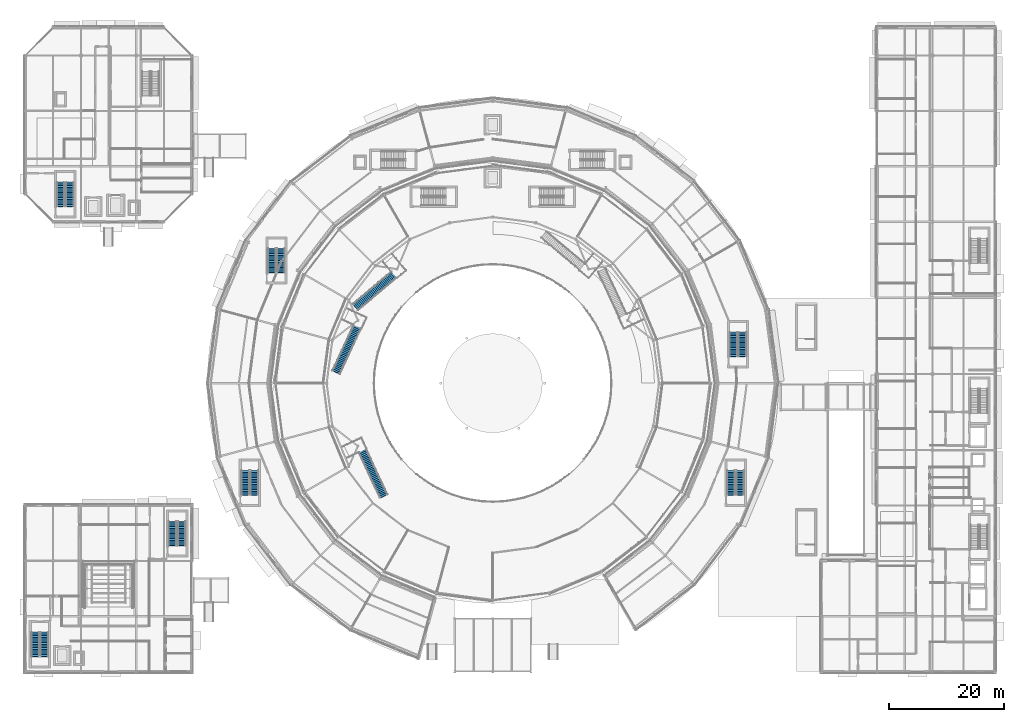
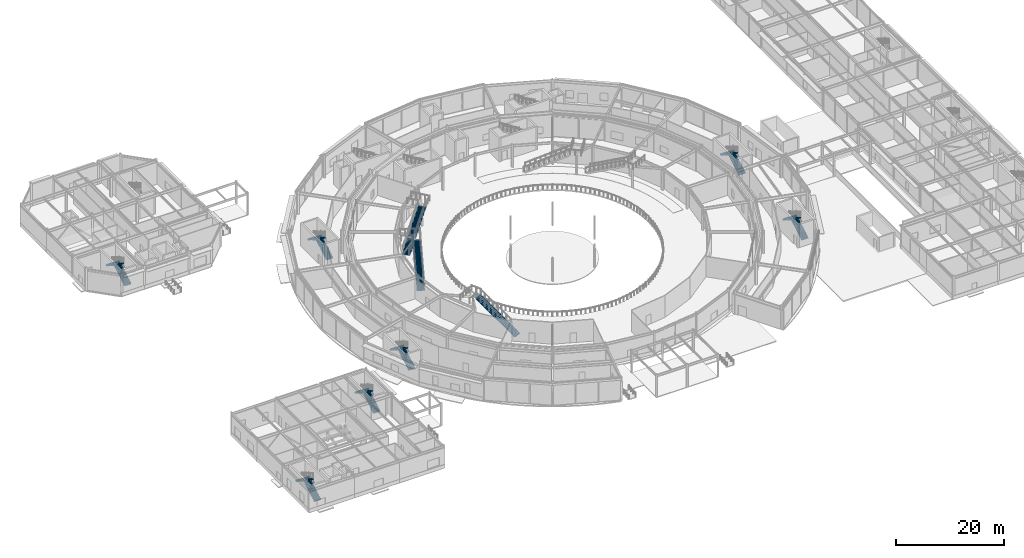
# One storey, part 132 of 168: 17 stair flights, 10 elements without a shape of their own.
"""IFC4 building model written with IfcOpenShell, lengths in metres."""

from ifc_helpers import new_model, si_unit, direction, frame, origin, place, context, subcontext, project, spatial, polyline, outline, extrude, material, type_object, element, aggregate, save


model = new_model("IFC4")

# Units and contexts
model_context = context("Model", 3, precision=1e-05, world=origin(), true_north=direction((0.0, 1.0)))
body_context = subcontext(model_context, "Body", "Model", "MODEL_VIEW")
ifc_project = project(units=[si_unit("LENGTHUNIT", "METRE"), si_unit("AREAUNIT", "SQUARE_METRE"), si_unit("VOLUMEUNIT", "CUBIC_METRE"), si_unit("PLANEANGLEUNIT", "RADIAN"), si_unit("MASSUNIT", "GRAM", prefix="KILO")], contexts=[model_context])

# Site, building, storey
site_placement = place(None, origin())
site = spatial("IfcSite", under=ifc_project, at=site_placement, CompositionType="ELEMENT")
building_placement = place(site_placement, origin())
building = spatial("IfcBuilding", under=site, at=building_placement, Name="Almandine Court Research Institute", CompositionType="ELEMENT")
storey_placement = place(building_placement, origin())
storey = spatial("IfcBuildingStorey", under=building, at=storey_placement, Name="L00", CompositionType="ELEMENT", Elevation=0.0)

# Stair, stair flights
ifc_material_1 = material(Name="Concrete C35/45", Category="concrete")
stair_type_1 = type_object("IfcStairType", Name="Stair-Core-30R", PredefinedType="HALF_TURN_STAIR", material=ifc_material_1)
stair_1_placement = place(storey_placement, origin())
stair_1 = element("IfcStair", 1, at=stair_1_placement, inside=storey, type_object=stair_type_1, Name="L00 Volume 1 Southwest Exit Stair", PredefinedType="HALF_TURN_STAIR")
stair_flight_type_1 = type_object("IfcStairFlightType", Name="Flight-Core-30R", PredefinedType="STRAIGHT", material=ifc_material_1)
stair_flight_1_placement = place(storey_placement, frame((9.2900390625, 8.64990234375, 0.0), z_axis=(0.0, 0.0, 1.0), x_axis=(0.0, 1.0, 0.0)))
stair_flight_1 = element("IfcStairFlight", 2, at=stair_flight_1_placement, type_object=stair_flight_type_1, Name="ST-01 flight 1", NumberOfRisers=15, NumberOfTreads=14, PredefinedType="STRAIGHT", RiserHeight=0.175, TreadLength=0.3, context=body_context, shape_type="SweptSolid", body=[
    extrude(outline(polyline([(-0.080078125, -0.139892578125), (-0.080078125, 0.0), (0.0, 0.0), (0.0, 0.175048828125), (0.300048828125, 0.175048828125), (0.300048828125, 0.35009765625), (0.60009765625, 0.35009765625), (0.60009765625, 0.52490234375), (0.89990234375, 0.52490234375), (0.89990234375, 0.699951171875), (1.199951171875, 0.699951171875), (1.199951171875, 0.875), (1.5, 0.875), (1.5, 1.050048828125), (1.800048828125, 1.050048828125), (1.800048828125, 1.22509765625), (2.10009765625, 1.22509765625), (2.10009765625, 1.39990234375), (2.39990234375, 1.39990234375), (2.39990234375, 1.574951171875), (2.699951171875, 1.574951171875), (2.699951171875, 1.75), (3.0, 1.75), (3.0, 1.925048828125), (3.300048828125, 1.925048828125), (3.300048828125, 2.10009765625), (3.60009765625, 2.10009765625), (3.60009765625, 2.27490234375), (3.89990234375, 2.27490234375), (3.89990234375, 2.449951171875), (4.199951171875, 2.449951171875), (4.199951171875, 2.625), (4.280029296875, 2.625), (4.280029296875, 2.465087890625), (4.199951171875, 2.264892578125), (0.3173828125, 0.0), (0.3173828125, -0.139892578125), (-0.080078125, -0.139892578125)])), frame((0.0, 0.7099609375, 0.0), z_axis=(0.0, -1.0, 0.0), x_axis=(1.0, 0.0, 0.0)), (0.0, 0.0, 1.0), 1.419921875),
])
stair_flight_2_placement = place(storey_placement, frame((7.7099609375, 12.85009765625, 2.625), z_axis=(0.0, 0.0, 1.0), x_axis=(0.0, -1.0, 0.0)))
stair_flight_2 = element("IfcStairFlight", 3, at=stair_flight_2_placement, type_object=stair_flight_type_1, Name="ST-01 flight 2", NumberOfRisers=15, NumberOfTreads=14, PredefinedType="STRAIGHT", RiserHeight=0.175, TreadLength=0.3, context=body_context, shape_type="SweptSolid", body=[
    extrude(outline(polyline([(-0.080078125, -0.139892578125), (-0.080078125, 0.0), (0.0, 0.0), (0.0, 0.175048828125), (0.300048828125, 0.175048828125), (0.300048828125, 0.35009765625), (0.60009765625, 0.35009765625), (0.60009765625, 0.52490234375), (0.89990234375, 0.52490234375), (0.89990234375, 0.699951171875), (1.199951171875, 0.699951171875), (1.199951171875, 0.875), (1.5, 0.875), (1.5, 1.050048828125), (1.800048828125, 1.050048828125), (1.800048828125, 1.22509765625), (2.10009765625, 1.22509765625), (2.10009765625, 1.39990234375), (2.39990234375, 1.39990234375), (2.39990234375, 1.574951171875), (2.699951171875, 1.574951171875), (2.699951171875, 1.75), (3.0, 1.75), (3.0, 1.925048828125), (3.300048828125, 1.925048828125), (3.300048828125, 2.10009765625), (3.60009765625, 2.10009765625), (3.60009765625, 2.27490234375), (3.89990234375, 2.27490234375), (3.89990234375, 2.449951171875), (4.199951171875, 2.449951171875), (4.199951171875, 2.625), (4.280029296875, 2.625), (4.280029296875, 2.465087890625), (4.199951171875, 2.264892578125), (0.3173828125, 0.0), (0.3173828125, -0.139892578125), (-0.080078125, -0.139892578125)])), frame((0.0, 0.7099609375, 0.0), z_axis=(0.0, -1.0, 0.0), x_axis=(1.0, 0.0, 0.0)), (0.0, 0.0, 1.0), 1.419921875),
])
aggregate(stair_1, [stair_flight_1, stair_flight_2])

stair_2_placement = place(storey_placement, origin())
stair_2 = element("IfcStair", 4, at=stair_2_placement, inside=storey, type_object=stair_type_1, Name="L00 Volume 1 Northeast Exit Stair", PredefinedType="HALF_TURN_STAIR")
stair_flight_3_placement = place(storey_placement, frame((33.090087890625, 27.85009765625, 0.0), z_axis=(0.0, 0.0, 1.0), x_axis=(0.0, 1.0, 0.0)))
stair_flight_3 = element("IfcStairFlight", 5, at=stair_flight_3_placement, type_object=stair_flight_type_1, Name="ST-02 flight 1", NumberOfRisers=15, NumberOfTreads=14, PredefinedType="STRAIGHT", RiserHeight=0.175, TreadLength=0.3, context=body_context, shape_type="SweptSolid", body=[
    extrude(outline(polyline([(-0.080078125, -0.139892578125), (-0.080078125, 0.0), (0.0, 0.0), (0.0, 0.175048828125), (0.300048828125, 0.175048828125), (0.300048828125, 0.35009765625), (0.60009765625, 0.35009765625), (0.60009765625, 0.52490234375), (0.89990234375, 0.52490234375), (0.89990234375, 0.699951171875), (1.199951171875, 0.699951171875), (1.199951171875, 0.875), (1.5, 0.875), (1.5, 1.050048828125), (1.800048828125, 1.050048828125), (1.800048828125, 1.22509765625), (2.10009765625, 1.22509765625), (2.10009765625, 1.39990234375), (2.39990234375, 1.39990234375), (2.39990234375, 1.574951171875), (2.699951171875, 1.574951171875), (2.699951171875, 1.75), (3.0, 1.75), (3.0, 1.925048828125), (3.300048828125, 1.925048828125), (3.300048828125, 2.10009765625), (3.60009765625, 2.10009765625), (3.60009765625, 2.27490234375), (3.89990234375, 2.27490234375), (3.89990234375, 2.449951171875), (4.199951171875, 2.449951171875), (4.199951171875, 2.625), (4.280029296875, 2.625), (4.280029296875, 2.465087890625), (4.199951171875, 2.264892578125), (0.3173828125, 0.0), (0.3173828125, -0.139892578125), (-0.080078125, -0.139892578125)])), frame((0.0, 0.7099609375, 0.0), z_axis=(0.0, -1.0, 0.0), x_axis=(1.0, 0.0, 0.0)), (0.0, 0.0, 1.0), 1.419921875),
])
stair_flight_4_placement = place(storey_placement, frame((31.510009765625, 32.050048828125, 2.625), z_axis=(0.0, 0.0, 1.0), x_axis=(0.0, -1.0, 0.0)))
stair_flight_4 = element("IfcStairFlight", 6, at=stair_flight_4_placement, type_object=stair_flight_type_1, Name="ST-02 flight 2", NumberOfRisers=15, NumberOfTreads=14, PredefinedType="STRAIGHT", RiserHeight=0.175, TreadLength=0.3, context=body_context, shape_type="SweptSolid", body=[
    extrude(outline(polyline([(-0.080078125, -0.139892578125), (-0.080078125, 0.0), (0.0, 0.0), (0.0, 0.175048828125), (0.300048828125, 0.175048828125), (0.300048828125, 0.35009765625), (0.60009765625, 0.35009765625), (0.60009765625, 0.52490234375), (0.89990234375, 0.52490234375), (0.89990234375, 0.699951171875), (1.199951171875, 0.699951171875), (1.199951171875, 0.875), (1.5, 0.875), (1.5, 1.050048828125), (1.800048828125, 1.050048828125), (1.800048828125, 1.22509765625), (2.10009765625, 1.22509765625), (2.10009765625, 1.39990234375), (2.39990234375, 1.39990234375), (2.39990234375, 1.574951171875), (2.699951171875, 1.574951171875), (2.699951171875, 1.75), (3.0, 1.75), (3.0, 1.925048828125), (3.300048828125, 1.925048828125), (3.300048828125, 2.10009765625), (3.60009765625, 2.10009765625), (3.60009765625, 2.27490234375), (3.89990234375, 2.27490234375), (3.89990234375, 2.449951171875), (4.199951171875, 2.449951171875), (4.199951171875, 2.625), (4.280029296875, 2.625), (4.280029296875, 2.465087890625), (4.199951171875, 2.264892578125), (0.3173828125, 0.0), (0.3173828125, -0.139892578125), (-0.080078125, -0.139892578125)])), frame((0.0, 0.7099609375, 0.0), z_axis=(0.0, -1.0, 0.0), x_axis=(1.0, 0.0, 0.0)), (0.0, 0.0, 1.0), 1.419921875),
])
aggregate(stair_2, [stair_flight_3, stair_flight_4])

stair_3_placement = place(storey_placement, origin())
stair_3 = element("IfcStair", 7, at=stair_3_placement, inside=storey, type_object=stair_type_1, Name="L00 Cleanroom Pavilion South Exit Stair", PredefinedType="HALF_TURN_STAIR")
stair_flight_5_placement = place(storey_placement, frame((13.68994140625, 86.64990234375, 0.0), z_axis=(0.0, 0.0, 1.0), x_axis=(0.0, 1.0, 0.0)))
stair_flight_5 = element("IfcStairFlight", 8, at=stair_flight_5_placement, type_object=stair_flight_type_1, Name="ST-05 flight 1", NumberOfRisers=15, NumberOfTreads=14, PredefinedType="STRAIGHT", RiserHeight=0.175, TreadLength=0.3, context=body_context, shape_type="SweptSolid", body=[
    extrude(outline(polyline([(-0.080078125, -0.139892578125), (-0.080078125, 0.0), (0.0, 0.0), (0.0, 0.175048828125), (0.300048828125, 0.175048828125), (0.300048828125, 0.35009765625), (0.60009765625, 0.35009765625), (0.60009765625, 0.52490234375), (0.89990234375, 0.52490234375), (0.89990234375, 0.699951171875), (1.199951171875, 0.699951171875), (1.199951171875, 0.875), (1.5, 0.875), (1.5, 1.050048828125), (1.800048828125, 1.050048828125), (1.800048828125, 1.22509765625), (2.10009765625, 1.22509765625), (2.10009765625, 1.39990234375), (2.39990234375, 1.39990234375), (2.39990234375, 1.574951171875), (2.699951171875, 1.574951171875), (2.699951171875, 1.75), (3.0, 1.75), (3.0, 1.925048828125), (3.300048828125, 1.925048828125), (3.300048828125, 2.10009765625), (3.60009765625, 2.10009765625), (3.60009765625, 2.27490234375), (3.89990234375, 2.27490234375), (3.89990234375, 2.449951171875), (4.199951171875, 2.449951171875), (4.199951171875, 2.625), (4.280029296875, 2.625), (4.280029296875, 2.465087890625), (4.199951171875, 2.264892578125), (0.3173828125, 0.0), (0.3173828125, -0.139892578125), (-0.080078125, -0.139892578125)])), frame((0.0, 0.7099609375, 0.0), z_axis=(0.0, -1.0, 0.0), x_axis=(1.0, 0.0, 0.0)), (0.0, 0.0, 1.0), 1.419921875),
])
stair_flight_6_placement = place(storey_placement, frame((12.110107421875, 90.85009765625, 2.625), z_axis=(0.0, 0.0, 1.0), x_axis=(0.0, -1.0, 0.0)))
stair_flight_6 = element("IfcStairFlight", 9, at=stair_flight_6_placement, type_object=stair_flight_type_1, Name="ST-05 flight 2", NumberOfRisers=15, NumberOfTreads=14, PredefinedType="STRAIGHT", RiserHeight=0.175, TreadLength=0.3, context=body_context, shape_type="SweptSolid", body=[
    extrude(outline(polyline([(-0.080078125, -0.139892578125), (-0.080078125, 0.0), (0.0, 0.0), (0.0, 0.175048828125), (0.300048828125, 0.175048828125), (0.300048828125, 0.35009765625), (0.60009765625, 0.35009765625), (0.60009765625, 0.52490234375), (0.89990234375, 0.52490234375), (0.89990234375, 0.699951171875), (1.199951171875, 0.699951171875), (1.199951171875, 0.875), (1.5, 0.875), (1.5, 1.050048828125), (1.800048828125, 1.050048828125), (1.800048828125, 1.22509765625), (2.10009765625, 1.22509765625), (2.10009765625, 1.39990234375), (2.39990234375, 1.39990234375), (2.39990234375, 1.574951171875), (2.699951171875, 1.574951171875), (2.699951171875, 1.75), (3.0, 1.75), (3.0, 1.925048828125), (3.300048828125, 1.925048828125), (3.300048828125, 2.10009765625), (3.60009765625, 2.10009765625), (3.60009765625, 2.27490234375), (3.89990234375, 2.27490234375), (3.89990234375, 2.449951171875), (4.199951171875, 2.449951171875), (4.199951171875, 2.625), (4.280029296875, 2.625), (4.280029296875, 2.465087890625), (4.199951171875, 2.264892578125), (0.3173828125, 0.0), (0.3173828125, -0.139892578125), (-0.080078125, -0.139892578125)])), frame((0.0, 0.7099609375, 0.0), z_axis=(0.0, -1.0, 0.0), x_axis=(1.0, 0.0, 0.0)), (0.0, 0.0, 1.0), 1.419921875),
])
aggregate(stair_3, [stair_flight_5, stair_flight_6])

stair_4_placement = place(storey_placement, origin())
stair_4 = element("IfcStair", 10, at=stair_4_placement, inside=storey, type_object=stair_type_1, Name="L00 Drum East Exit Stair", PredefinedType="HALF_TURN_STAIR")
stair_flight_7_placement = place(storey_placement, frame((130.2900390625, 60.64990234375, 0.0), z_axis=(0.0, 0.0, 1.0), x_axis=(0.0, 1.0, 0.0)))
stair_flight_7 = element("IfcStairFlight", 11, at=stair_flight_7_placement, type_object=stair_flight_type_1, Name="ST-14 flight 1", NumberOfRisers=15, NumberOfTreads=14, PredefinedType="STRAIGHT", RiserHeight=0.175, TreadLength=0.3, context=body_context, shape_type="SweptSolid", body=[
    extrude(outline(polyline([(-0.080078125, -0.139892578125), (-0.080078125, 0.0), (0.0, 0.0), (0.0, 0.175048828125), (0.300048828125, 0.175048828125), (0.300048828125, 0.35009765625), (0.60009765625, 0.35009765625), (0.60009765625, 0.52490234375), (0.89990234375, 0.52490234375), (0.89990234375, 0.699951171875), (1.199951171875, 0.699951171875), (1.199951171875, 0.875), (1.5, 0.875), (1.5, 1.050048828125), (1.800048828125, 1.050048828125), (1.800048828125, 1.22509765625), (2.10009765625, 1.22509765625), (2.10009765625, 1.39990234375), (2.39990234375, 1.39990234375), (2.39990234375, 1.574951171875), (2.699951171875, 1.574951171875), (2.699951171875, 1.75), (3.0, 1.75), (3.0, 1.925048828125), (3.300048828125, 1.925048828125), (3.300048828125, 2.10009765625), (3.60009765625, 2.10009765625), (3.60009765625, 2.27490234375), (3.89990234375, 2.27490234375), (3.89990234375, 2.449951171875), (4.199951171875, 2.449951171875), (4.199951171875, 2.625), (4.280029296875, 2.625), (4.280029296875, 2.465087890625), (4.199951171875, 2.264892578125), (0.3173828125, 0.0), (0.3173828125, -0.139892578125), (-0.080078125, -0.139892578125)])), frame((0.0, 0.7099609375, 0.0), z_axis=(0.0, -1.0, 0.0), x_axis=(1.0, 0.0, 0.0)), (0.0, 0.0, 1.0), 1.419921875),
])
stair_flight_8_placement = place(storey_placement, frame((128.7099609375, 64.85009765625, 2.625), z_axis=(0.0, 0.0, 1.0), x_axis=(0.0, -1.0, 0.0)))
stair_flight_8 = element("IfcStairFlight", 12, at=stair_flight_8_placement, type_object=stair_flight_type_1, Name="ST-14 flight 2", NumberOfRisers=15, NumberOfTreads=14, PredefinedType="STRAIGHT", RiserHeight=0.175, TreadLength=0.3, context=body_context, shape_type="SweptSolid", body=[
    extrude(outline(polyline([(-0.080078125, -0.139892578125), (-0.080078125, 0.0), (0.0, 0.0), (0.0, 0.175048828125), (0.300048828125, 0.175048828125), (0.300048828125, 0.35009765625), (0.60009765625, 0.35009765625), (0.60009765625, 0.52490234375), (0.89990234375, 0.52490234375), (0.89990234375, 0.699951171875), (1.199951171875, 0.699951171875), (1.199951171875, 0.875), (1.5, 0.875), (1.5, 1.050048828125), (1.800048828125, 1.050048828125), (1.800048828125, 1.22509765625), (2.10009765625, 1.22509765625), (2.10009765625, 1.39990234375), (2.39990234375, 1.39990234375), (2.39990234375, 1.574951171875), (2.699951171875, 1.574951171875), (2.699951171875, 1.75), (3.0, 1.75), (3.0, 1.925048828125), (3.300048828125, 1.925048828125), (3.300048828125, 2.10009765625), (3.60009765625, 2.10009765625), (3.60009765625, 2.27490234375), (3.89990234375, 2.27490234375), (3.89990234375, 2.449951171875), (4.199951171875, 2.449951171875), (4.199951171875, 2.625), (4.280029296875, 2.625), (4.280029296875, 2.465087890625), (4.199951171875, 2.264892578125), (0.3173828125, 0.0), (0.3173828125, -0.139892578125), (-0.080078125, -0.139892578125)])), frame((0.0, 0.7099609375, 0.0), z_axis=(0.0, -1.0, 0.0), x_axis=(1.0, 0.0, 0.0)), (0.0, 0.0, 1.0), 1.419921875),
])
aggregate(stair_4, [stair_flight_7, stair_flight_8])

stair_5_placement = place(storey_placement, origin())
stair_5 = element("IfcStair", 13, at=stair_5_placement, inside=storey, type_object=stair_type_1, Name="L00 Drum West Exit Stair", PredefinedType="HALF_TURN_STAIR")
stair_flight_9_placement = place(storey_placement, frame((50.2900390625, 75.14990234375, 0.0), z_axis=(0.0, 0.0, 1.0), x_axis=(0.0, 1.0, 0.0)))
stair_flight_9 = element("IfcStairFlight", 14, at=stair_flight_9_placement, type_object=stair_flight_type_1, Name="ST-15 flight 1", NumberOfRisers=15, NumberOfTreads=14, PredefinedType="STRAIGHT", RiserHeight=0.175, TreadLength=0.3, context=body_context, shape_type="SweptSolid", body=[
    extrude(outline(polyline([(-0.080078125, -0.139892578125), (-0.080078125, 0.0), (0.0, 0.0), (0.0, 0.175048828125), (0.300048828125, 0.175048828125), (0.300048828125, 0.35009765625), (0.60009765625, 0.35009765625), (0.60009765625, 0.52490234375), (0.89990234375, 0.52490234375), (0.89990234375, 0.699951171875), (1.199951171875, 0.699951171875), (1.199951171875, 0.875), (1.5, 0.875), (1.5, 1.050048828125), (1.800048828125, 1.050048828125), (1.800048828125, 1.22509765625), (2.10009765625, 1.22509765625), (2.10009765625, 1.39990234375), (2.39990234375, 1.39990234375), (2.39990234375, 1.574951171875), (2.699951171875, 1.574951171875), (2.699951171875, 1.75), (3.0, 1.75), (3.0, 1.925048828125), (3.300048828125, 1.925048828125), (3.300048828125, 2.10009765625), (3.60009765625, 2.10009765625), (3.60009765625, 2.27490234375), (3.89990234375, 2.27490234375), (3.89990234375, 2.449951171875), (4.199951171875, 2.449951171875), (4.199951171875, 2.625), (4.280029296875, 2.625), (4.280029296875, 2.465087890625), (4.199951171875, 2.264892578125), (0.3173828125, 0.0), (0.3173828125, -0.139892578125), (-0.080078125, -0.139892578125)])), frame((0.0, 0.7099609375, 0.0), z_axis=(0.0, -1.0, 0.0), x_axis=(1.0, 0.0, 0.0)), (0.0, 0.0, 1.0), 1.419921875),
])
stair_flight_10_placement = place(storey_placement, frame((48.7099609375, 79.35009765625, 2.625), z_axis=(0.0, 0.0, 1.0), x_axis=(0.0, -1.0, 0.0)))
stair_flight_10 = element("IfcStairFlight", 15, at=stair_flight_10_placement, type_object=stair_flight_type_1, Name="ST-15 flight 2", NumberOfRisers=15, NumberOfTreads=14, PredefinedType="STRAIGHT", RiserHeight=0.175, TreadLength=0.3, context=body_context, shape_type="SweptSolid", body=[
    extrude(outline(polyline([(-0.080078125, -0.139892578125), (-0.080078125, 0.0), (0.0, 0.0), (0.0, 0.175048828125), (0.300048828125, 0.175048828125), (0.300048828125, 0.35009765625), (0.60009765625, 0.35009765625), (0.60009765625, 0.52490234375), (0.89990234375, 0.52490234375), (0.89990234375, 0.699951171875), (1.199951171875, 0.699951171875), (1.199951171875, 0.875), (1.5, 0.875), (1.5, 1.050048828125), (1.800048828125, 1.050048828125), (1.800048828125, 1.22509765625), (2.10009765625, 1.22509765625), (2.10009765625, 1.39990234375), (2.39990234375, 1.39990234375), (2.39990234375, 1.574951171875), (2.699951171875, 1.574951171875), (2.699951171875, 1.75), (3.0, 1.75), (3.0, 1.925048828125), (3.300048828125, 1.925048828125), (3.300048828125, 2.10009765625), (3.60009765625, 2.10009765625), (3.60009765625, 2.27490234375), (3.89990234375, 2.27490234375), (3.89990234375, 2.449951171875), (4.199951171875, 2.449951171875), (4.199951171875, 2.625), (4.280029296875, 2.625), (4.280029296875, 2.465087890625), (4.199951171875, 2.264892578125), (0.3173828125, 0.0), (0.3173828125, -0.139892578125), (-0.080078125, -0.139892578125)])), frame((0.0, 0.7099609375, 0.0), z_axis=(0.0, -1.0, 0.0), x_axis=(1.0, 0.0, 0.0)), (0.0, 0.0, 1.0), 1.419921875),
])
aggregate(stair_5, [stair_flight_9, stair_flight_10])

stair_6_placement = place(storey_placement, origin())
stair_6 = element("IfcStair", 16, at=stair_6_placement, inside=storey, type_object=stair_type_1, Name="L00 Drum Southeast Exit Stair", PredefinedType="HALF_TURN_STAIR")
stair_flight_11_placement = place(storey_placement, frame((129.889892578125, 36.64990234375, 0.0), z_axis=(0.0, 0.0, 1.0), x_axis=(0.0, 1.0, 0.0)))
stair_flight_11 = element("IfcStairFlight", 17, at=stair_flight_11_placement, type_object=stair_flight_type_1, Name="ST-16 flight 1", NumberOfRisers=15, NumberOfTreads=14, PredefinedType="STRAIGHT", RiserHeight=0.175, TreadLength=0.3, context=body_context, shape_type="SweptSolid", body=[
    extrude(outline(polyline([(-0.080078125, -0.139892578125), (-0.080078125, 0.0), (0.0, 0.0), (0.0, 0.175048828125), (0.300048828125, 0.175048828125), (0.300048828125, 0.35009765625), (0.60009765625, 0.35009765625), (0.60009765625, 0.52490234375), (0.89990234375, 0.52490234375), (0.89990234375, 0.699951171875), (1.199951171875, 0.699951171875), (1.199951171875, 0.875), (1.5, 0.875), (1.5, 1.050048828125), (1.800048828125, 1.050048828125), (1.800048828125, 1.22509765625), (2.10009765625, 1.22509765625), (2.10009765625, 1.39990234375), (2.39990234375, 1.39990234375), (2.39990234375, 1.574951171875), (2.699951171875, 1.574951171875), (2.699951171875, 1.75), (3.0, 1.75), (3.0, 1.925048828125), (3.300048828125, 1.925048828125), (3.300048828125, 2.10009765625), (3.60009765625, 2.10009765625), (3.60009765625, 2.27490234375), (3.89990234375, 2.27490234375), (3.89990234375, 2.449951171875), (4.199951171875, 2.449951171875), (4.199951171875, 2.625), (4.280029296875, 2.625), (4.280029296875, 2.465087890625), (4.199951171875, 2.264892578125), (0.3173828125, 0.0), (0.3173828125, -0.139892578125), (-0.080078125, -0.139892578125)])), frame((0.0, 0.7099609375, 0.0), z_axis=(0.0, -1.0, 0.0), x_axis=(1.0, 0.0, 0.0)), (0.0, 0.0, 1.0), 1.419921875),
])
stair_flight_12_placement = place(storey_placement, frame((128.31005859375, 40.85009765625, 2.625), z_axis=(0.0, 0.0, 1.0), x_axis=(0.0, -1.0, 0.0)))
stair_flight_12 = element("IfcStairFlight", 18, at=stair_flight_12_placement, type_object=stair_flight_type_1, Name="ST-16 flight 2", NumberOfRisers=15, NumberOfTreads=14, PredefinedType="STRAIGHT", RiserHeight=0.175, TreadLength=0.3, context=body_context, shape_type="SweptSolid", body=[
    extrude(outline(polyline([(-0.080078125, -0.139892578125), (-0.080078125, 0.0), (0.0, 0.0), (0.0, 0.175048828125), (0.300048828125, 0.175048828125), (0.300048828125, 0.35009765625), (0.60009765625, 0.35009765625), (0.60009765625, 0.52490234375), (0.89990234375, 0.52490234375), (0.89990234375, 0.699951171875), (1.199951171875, 0.699951171875), (1.199951171875, 0.875), (1.5, 0.875), (1.5, 1.050048828125), (1.800048828125, 1.050048828125), (1.800048828125, 1.22509765625), (2.10009765625, 1.22509765625), (2.10009765625, 1.39990234375), (2.39990234375, 1.39990234375), (2.39990234375, 1.574951171875), (2.699951171875, 1.574951171875), (2.699951171875, 1.75), (3.0, 1.75), (3.0, 1.925048828125), (3.300048828125, 1.925048828125), (3.300048828125, 2.10009765625), (3.60009765625, 2.10009765625), (3.60009765625, 2.27490234375), (3.89990234375, 2.27490234375), (3.89990234375, 2.449951171875), (4.199951171875, 2.449951171875), (4.199951171875, 2.625), (4.280029296875, 2.625), (4.280029296875, 2.465087890625), (4.199951171875, 2.264892578125), (0.3173828125, 0.0), (0.3173828125, -0.139892578125), (-0.080078125, -0.139892578125)])), frame((0.0, 0.7099609375, 0.0), z_axis=(0.0, -1.0, 0.0), x_axis=(1.0, 0.0, 0.0)), (0.0, 0.0, 1.0), 1.419921875),
])
aggregate(stair_6, [stair_flight_11, stair_flight_12])

stair_7_placement = place(storey_placement, origin())
stair_7 = element("IfcStair", 19, at=stair_7_placement, inside=storey, type_object=stair_type_1, Name="L00 Drum Southwest Exit Stair", PredefinedType="HALF_TURN_STAIR")
stair_flight_13_placement = place(storey_placement, frame((45.68994140625, 36.64990234375, 0.0), z_axis=(0.0, 0.0, 1.0), x_axis=(0.0, 1.0, 0.0)))
stair_flight_13 = element("IfcStairFlight", 20, at=stair_flight_13_placement, type_object=stair_flight_type_1, Name="ST-17 flight 1", NumberOfRisers=15, NumberOfTreads=14, PredefinedType="STRAIGHT", RiserHeight=0.175, TreadLength=0.3, context=body_context, shape_type="SweptSolid", body=[
    extrude(outline(polyline([(-0.080078125, -0.139892578125), (-0.080078125, 0.0), (0.0, 0.0), (0.0, 0.175048828125), (0.300048828125, 0.175048828125), (0.300048828125, 0.35009765625), (0.60009765625, 0.35009765625), (0.60009765625, 0.52490234375), (0.89990234375, 0.52490234375), (0.89990234375, 0.699951171875), (1.199951171875, 0.699951171875), (1.199951171875, 0.875), (1.5, 0.875), (1.5, 1.050048828125), (1.800048828125, 1.050048828125), (1.800048828125, 1.22509765625), (2.10009765625, 1.22509765625), (2.10009765625, 1.39990234375), (2.39990234375, 1.39990234375), (2.39990234375, 1.574951171875), (2.699951171875, 1.574951171875), (2.699951171875, 1.75), (3.0, 1.75), (3.0, 1.925048828125), (3.300048828125, 1.925048828125), (3.300048828125, 2.10009765625), (3.60009765625, 2.10009765625), (3.60009765625, 2.27490234375), (3.89990234375, 2.27490234375), (3.89990234375, 2.449951171875), (4.199951171875, 2.449951171875), (4.199951171875, 2.625), (4.280029296875, 2.625), (4.280029296875, 2.465087890625), (4.199951171875, 2.264892578125), (0.3173828125, 0.0), (0.3173828125, -0.139892578125), (-0.080078125, -0.139892578125)])), frame((0.0, 0.7099609375, 0.0), z_axis=(0.0, -1.0, 0.0), x_axis=(1.0, 0.0, 0.0)), (0.0, 0.0, 1.0), 1.419921875),
])
stair_flight_14_placement = place(storey_placement, frame((44.110107421875, 40.85009765625, 2.625), z_axis=(0.0, 0.0, 1.0), x_axis=(0.0, -1.0, 0.0)))
stair_flight_14 = element("IfcStairFlight", 21, at=stair_flight_14_placement, type_object=stair_flight_type_1, Name="ST-17 flight 2", NumberOfRisers=15, NumberOfTreads=14, PredefinedType="STRAIGHT", RiserHeight=0.175, TreadLength=0.3, context=body_context, shape_type="SweptSolid", body=[
    extrude(outline(polyline([(-0.080078125, -0.139892578125), (-0.080078125, 0.0), (0.0, 0.0), (0.0, 0.175048828125), (0.300048828125, 0.175048828125), (0.300048828125, 0.35009765625), (0.60009765625, 0.35009765625), (0.60009765625, 0.52490234375), (0.89990234375, 0.52490234375), (0.89990234375, 0.699951171875), (1.199951171875, 0.699951171875), (1.199951171875, 0.875), (1.5, 0.875), (1.5, 1.050048828125), (1.800048828125, 1.050048828125), (1.800048828125, 1.22509765625), (2.10009765625, 1.22509765625), (2.10009765625, 1.39990234375), (2.39990234375, 1.39990234375), (2.39990234375, 1.574951171875), (2.699951171875, 1.574951171875), (2.699951171875, 1.75), (3.0, 1.75), (3.0, 1.925048828125), (3.300048828125, 1.925048828125), (3.300048828125, 2.10009765625), (3.60009765625, 2.10009765625), (3.60009765625, 2.27490234375), (3.89990234375, 2.27490234375), (3.89990234375, 2.449951171875), (4.199951171875, 2.449951171875), (4.199951171875, 2.625), (4.280029296875, 2.625), (4.280029296875, 2.465087890625), (4.199951171875, 2.264892578125), (0.3173828125, 0.0), (0.3173828125, -0.139892578125), (-0.080078125, -0.139892578125)])), frame((0.0, 0.7099609375, 0.0), z_axis=(0.0, -1.0, 0.0), x_axis=(1.0, 0.0, 0.0)), (0.0, 0.0, 1.0), 1.419921875),
])
aggregate(stair_7, [stair_flight_13, stair_flight_14])

# Stair, stair flight
ifc_material_2 = material(Name="Steel ASTM A500 Grade C", Category="steel")
stair_type_2 = type_object("IfcStairType", Name="Stair-Feat-30R", PredefinedType="STRAIGHT_RUN_STAIR", material=ifc_material_2)
stair_8_placement = place(storey_placement, origin())
stair_8 = element("IfcStair", 22, at=stair_8_placement, inside=storey, type_object=stair_type_2, Name="L00 Interaction Atrium Feature Stair ST-AT-03", PredefinedType="STRAIGHT_RUN_STAIR")
stair_flight_type_2 = type_object("IfcStairFlightType", Name="Flight-Feat-165", PredefinedType="STRAIGHT", material=ifc_material_2)
stair_flight_15_placement = place(storey_placement, frame((63.2041015625, 69.18994140625, 0.0), z_axis=(0.0, 0.0, 1.0), x_axis=(0.766044443119, 0.642787609687, 0.0)))
stair_flight_15 = element("IfcStairFlight", 23, at=stair_flight_15_placement, type_object=stair_flight_type_2, Name="ST-AT-03 flight 1", NumberOfRisers=30, NumberOfTreads=29, PredefinedType="STRAIGHT", RiserHeight=0.175, TreadLength=0.3, context=body_context, shape_type="SweptSolid", body=[
    extrude(outline(polyline([(-0.080078125, -0.139892578125), (-0.080078125, 0.0), (0.0, 0.0), (0.0, 0.175048828125), (0.300048828125, 0.175048828125), (0.300048828125, 0.35009765625), (0.60009765625, 0.35009765625), (0.60009765625, 0.52490234375), (0.89990234375, 0.52490234375), (0.89990234375, 0.699951171875), (1.199951171875, 0.699951171875), (1.199951171875, 0.875), (1.5, 0.875), (1.5, 1.050048828125), (1.800048828125, 1.050048828125), (1.800048828125, 1.22509765625), (2.10009765625, 1.22509765625), (2.10009765625, 1.39990234375), (2.39990234375, 1.39990234375), (2.39990234375, 1.574951171875), (2.699951171875, 1.574951171875), (2.699951171875, 1.75), (3.0, 1.75), (3.0, 1.925048828125), (3.300048828125, 1.925048828125), (3.300048828125, 2.10009765625), (3.60009765625, 2.10009765625), (3.60009765625, 2.27490234375), (3.89990234375, 2.27490234375), (3.89990234375, 2.449951171875), (4.199951171875, 2.449951171875), (4.199951171875, 2.625), (4.5, 2.625), (4.5, 2.800048828125), (4.800048828125, 2.800048828125), (4.800048828125, 2.97509765625), (5.10009765625, 2.97509765625), (5.10009765625, 3.14990234375), (5.39990234375, 3.14990234375), (5.39990234375, 3.324951171875), (5.699951171875, 3.324951171875), (5.699951171875, 3.5), (6.0, 3.5), (6.0, 3.675048828125), (6.300048828125, 3.675048828125), (6.300048828125, 3.85009765625), (6.60009765625, 3.85009765625), (6.60009765625, 4.02490234375), (6.89990234375, 4.02490234375), (6.89990234375, 4.199951171875), (7.199951171875, 4.199951171875), (7.199951171875, 4.375), (7.5, 4.375), (7.5, 4.550048828125), (7.800048828125, 4.550048828125), (7.800048828125, 4.72509765625), (8.10009765625, 4.72509765625), (8.10009765625, 4.89990234375), (8.39990234375, 4.89990234375), (8.39990234375, 5.074951171875), (8.699951171875, 5.074951171875), (8.699951171875, 5.25), (8.780029296875, 5.25), (8.780029296875, 5.090087890625), (8.699951171875, 4.86669921875), (0.357177734375, 0.0), (0.357177734375, -0.139892578125), (-0.080078125, -0.139892578125)])), frame((0.0, 0.75, 0.0), z_axis=(0.0, -1.0, 0.0), x_axis=(1.0, 0.0, 0.0)), (0.0, 0.0, 1.0), 1.5),
])
aggregate(stair_8, [stair_flight_15])

stair_9_placement = place(storey_placement, origin())
stair_9 = element("IfcStair", 24, at=stair_9_placement, inside=storey, type_object=stair_type_2, Name="L00 Interaction Atrium Feature Stair ST-AT-04", PredefinedType="STRAIGHT_RUN_STAIR")
stair_flight_16_placement = place(storey_placement, frame((59.85888671875, 57.89794921875, 0.0), z_axis=(0.0, 0.0, 1.0), x_axis=(0.422618261741, 0.906307787037, 0.0)))
stair_flight_16 = element("IfcStairFlight", 25, at=stair_flight_16_placement, type_object=stair_flight_type_2, Name="ST-AT-04 flight 1", NumberOfRisers=30, NumberOfTreads=29, PredefinedType="STRAIGHT", RiserHeight=0.175, TreadLength=0.3, context=body_context, shape_type="SweptSolid", body=[
    extrude(outline(polyline([(-0.080078125, -0.139892578125), (-0.080078125, 0.0), (0.0, 0.0), (0.0, 0.175048828125), (0.300048828125, 0.175048828125), (0.300048828125, 0.35009765625), (0.60009765625, 0.35009765625), (0.60009765625, 0.52490234375), (0.89990234375, 0.52490234375), (0.89990234375, 0.699951171875), (1.199951171875, 0.699951171875), (1.199951171875, 0.875), (1.5, 0.875), (1.5, 1.050048828125), (1.800048828125, 1.050048828125), (1.800048828125, 1.22509765625), (2.10009765625, 1.22509765625), (2.10009765625, 1.39990234375), (2.39990234375, 1.39990234375), (2.39990234375, 1.574951171875), (2.699951171875, 1.574951171875), (2.699951171875, 1.75), (3.0, 1.75), (3.0, 1.925048828125), (3.300048828125, 1.925048828125), (3.300048828125, 2.10009765625), (3.60009765625, 2.10009765625), (3.60009765625, 2.27490234375), (3.89990234375, 2.27490234375), (3.89990234375, 2.449951171875), (4.199951171875, 2.449951171875), (4.199951171875, 2.625), (4.5, 2.625), (4.5, 2.800048828125), (4.800048828125, 2.800048828125), (4.800048828125, 2.97509765625), (5.10009765625, 2.97509765625), (5.10009765625, 3.14990234375), (5.39990234375, 3.14990234375), (5.39990234375, 3.324951171875), (5.699951171875, 3.324951171875), (5.699951171875, 3.5), (6.0, 3.5), (6.0, 3.675048828125), (6.300048828125, 3.675048828125), (6.300048828125, 3.85009765625), (6.60009765625, 3.85009765625), (6.60009765625, 4.02490234375), (6.89990234375, 4.02490234375), (6.89990234375, 4.199951171875), (7.199951171875, 4.199951171875), (7.199951171875, 4.375), (7.5, 4.375), (7.5, 4.550048828125), (7.800048828125, 4.550048828125), (7.800048828125, 4.72509765625), (8.10009765625, 4.72509765625), (8.10009765625, 4.89990234375), (8.39990234375, 4.89990234375), (8.39990234375, 5.074951171875), (8.699951171875, 5.074951171875), (8.699951171875, 5.25), (8.780029296875, 5.25), (8.780029296875, 5.090087890625), (8.699951171875, 4.86669921875), (0.357177734375, 0.0), (0.357177734375, -0.139892578125), (-0.080078125, -0.139892578125)])), frame((0.0, 0.75, 0.0), z_axis=(0.0, -1.0, 0.0), x_axis=(1.0, 0.0, 0.0)), (0.0, 0.0, 1.0), 1.5),
])
aggregate(stair_9, [stair_flight_16])

stair_10_placement = place(storey_placement, origin())
stair_10 = element("IfcStair", 26, at=stair_10_placement, inside=storey, type_object=stair_type_2, Name="L00 Interaction Atrium Feature Stair ST-AT-05", PredefinedType="STRAIGHT_RUN_STAIR")
stair_flight_17_placement = place(storey_placement, frame((68.10009765625, 36.428955078125, 0.0), z_axis=(0.0, 0.0, 1.0), x_axis=(-0.422618261741, 0.906307787037, 0.0)))
stair_flight_17 = element("IfcStairFlight", 27, at=stair_flight_17_placement, type_object=stair_flight_type_2, Name="ST-AT-05 flight 1", NumberOfRisers=30, NumberOfTreads=29, PredefinedType="STRAIGHT", RiserHeight=0.175, TreadLength=0.3, context=body_context, shape_type="SweptSolid", body=[
    extrude(outline(polyline([(-0.080078125, -0.139892578125), (-0.080078125, 0.0), (0.0, 0.0), (0.0, 0.175048828125), (0.300048828125, 0.175048828125), (0.300048828125, 0.35009765625), (0.60009765625, 0.35009765625), (0.60009765625, 0.52490234375), (0.89990234375, 0.52490234375), (0.89990234375, 0.699951171875), (1.199951171875, 0.699951171875), (1.199951171875, 0.875), (1.5, 0.875), (1.5, 1.050048828125), (1.800048828125, 1.050048828125), (1.800048828125, 1.22509765625), (2.10009765625, 1.22509765625), (2.10009765625, 1.39990234375), (2.39990234375, 1.39990234375), (2.39990234375, 1.574951171875), (2.699951171875, 1.574951171875), (2.699951171875, 1.75), (3.0, 1.75), (3.0, 1.925048828125), (3.300048828125, 1.925048828125), (3.300048828125, 2.10009765625), (3.60009765625, 2.10009765625), (3.60009765625, 2.27490234375), (3.89990234375, 2.27490234375), (3.89990234375, 2.449951171875), (4.199951171875, 2.449951171875), (4.199951171875, 2.625), (4.5, 2.625), (4.5, 2.800048828125), (4.800048828125, 2.800048828125), (4.800048828125, 2.97509765625), (5.10009765625, 2.97509765625), (5.10009765625, 3.14990234375), (5.39990234375, 3.14990234375), (5.39990234375, 3.324951171875), (5.699951171875, 3.324951171875), (5.699951171875, 3.5), (6.0, 3.5), (6.0, 3.675048828125), (6.300048828125, 3.675048828125), (6.300048828125, 3.85009765625), (6.60009765625, 3.85009765625), (6.60009765625, 4.02490234375), (6.89990234375, 4.02490234375), (6.89990234375, 4.199951171875), (7.199951171875, 4.199951171875), (7.199951171875, 4.375), (7.5, 4.375), (7.5, 4.550048828125), (7.800048828125, 4.550048828125), (7.800048828125, 4.72509765625), (8.10009765625, 4.72509765625), (8.10009765625, 4.89990234375), (8.39990234375, 4.89990234375), (8.39990234375, 5.074951171875), (8.699951171875, 5.074951171875), (8.699951171875, 5.25), (8.780029296875, 5.25), (8.780029296875, 5.090087890625), (8.699951171875, 4.86669921875), (0.357177734375, 0.0), (0.357177734375, -0.139892578125), (-0.080078125, -0.139892578125)])), frame((0.0, 0.75, 0.0), z_axis=(0.0, -1.0, 0.0), x_axis=(1.0, 0.0, 0.0)), (0.0, 0.0, 1.0), 1.5),
])
aggregate(stair_10, [stair_flight_17])

save(model, "model.ifc")
